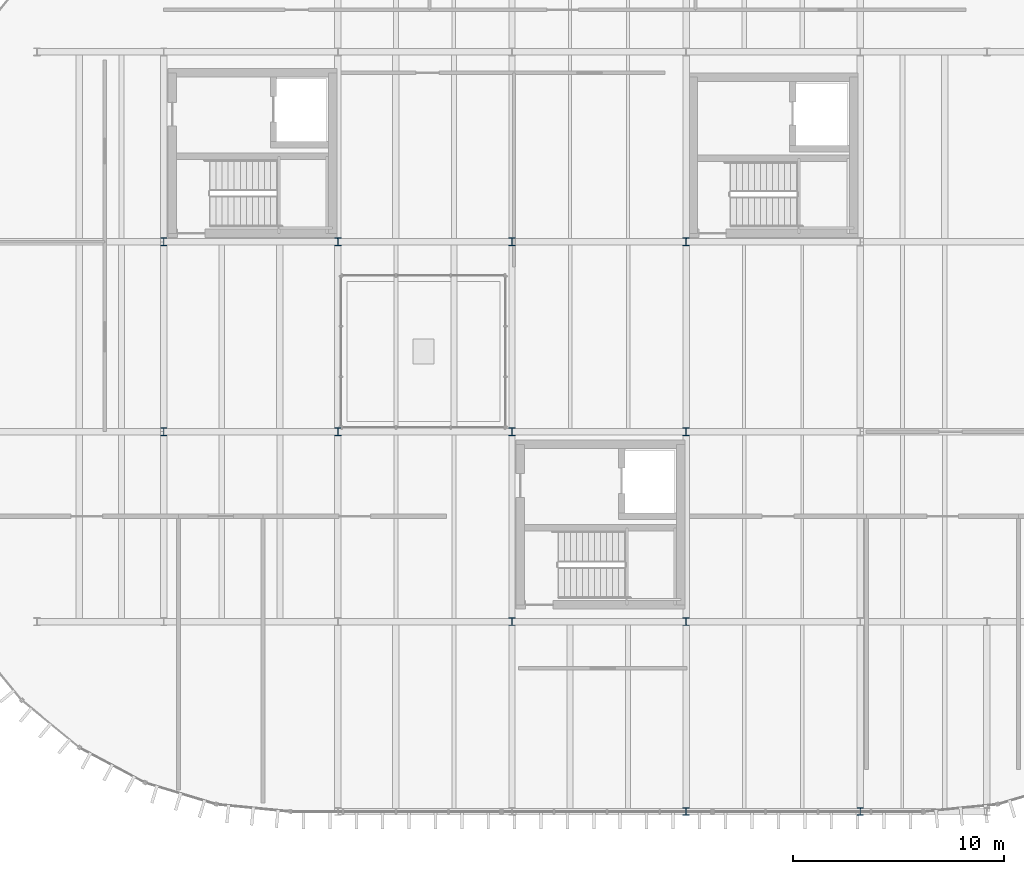
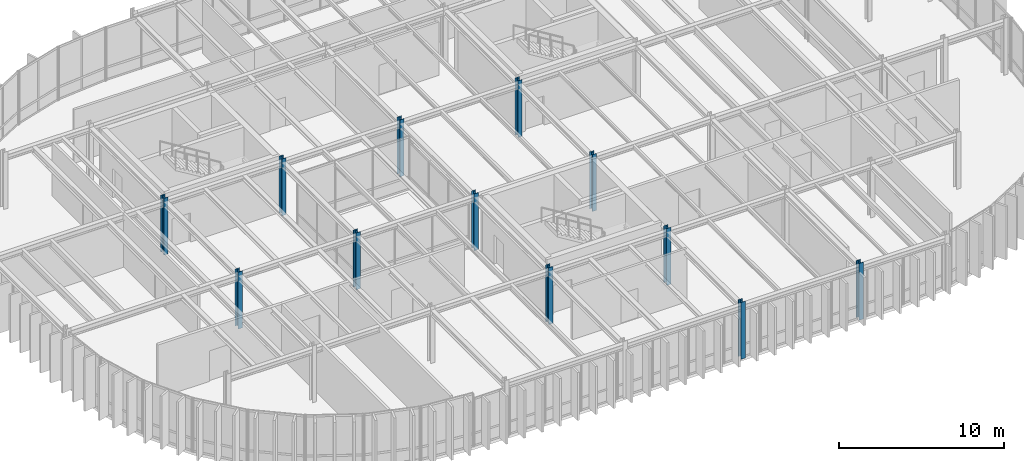
# One storey, part 2 of 31: 12 columns.
"""IFC4 building model written with IfcOpenShell, lengths in metres."""

from ifc_helpers import new_model, si_unit, direction, frame, origin, origin_2d, place, context, subcontext, project, spatial, i_section, extrude, material, material_profile, profile_set, type_object, element, save


model = new_model("IFC4")

# Units and contexts
model_context = context("Model", 3, precision=1e-05, world=origin(), true_north=direction((0.0, 1.0)))
body_context = subcontext(model_context, "Body", "Model", "MODEL_VIEW")
ifc_project = project(units=[si_unit("LENGTHUNIT", "METRE"), si_unit("AREAUNIT", "SQUARE_METRE"), si_unit("VOLUMEUNIT", "CUBIC_METRE"), si_unit("PLANEANGLEUNIT", "RADIAN"), si_unit("MASSUNIT", "GRAM", prefix="KILO")], contexts=[model_context])

# Site, building, storey
site_placement = place(None, origin())
site = spatial("IfcSite", under=ifc_project, at=site_placement, CompositionType="ELEMENT")
building_placement = place(site_placement, origin())
building = spatial("IfcBuilding", under=site, at=building_placement, Name="Montealbar Specialist Clinic", CompositionType="ELEMENT")
storey_placement = place(building_placement, frame((0.0, 0.0, 13.800048828125)))
storey = spatial("IfcBuildingStorey", under=building, at=storey_placement, Name="L03", CompositionType="ELEMENT", Elevation=13.800048828125)

# Columns
ifc_material = material(Name="Steel S355", Category="steel")
ifc_material_profile_1 = material_profile(ifc_material, i_section(OverallWidth=0.300048828125, OverallDepth=0.39990234375, WebThickness=0.013427734375, FlangeThickness=0.02392578125, FilletRadius=0.027099609375, at=origin_2d()), Name="HEB 400", Category="steel")
ifc_profile_set_1 = profile_set([ifc_material_profile_1], Name="Steel S355")
column_type_1 = type_object("IfcColumnType", Name="COL-S-L02-STD", PredefinedType="COLUMN", material=ifc_profile_set_1)
for number, where, z_axis, x_axis, name in (
    (1, (66.0, 18.0, 0.0), (0.0, 0.0, 1.0), (1.0, 0.0, 0.0), "Column 9/C L03"),
    (2, (66.0, 27.0, 0.0), (0.0, 0.0, 1.0), (1.0, 0.0, 0.0), "Column 9/D L03"),
):
    element("IfcColumn", number, at=place(storey_placement, frame(where, z_axis=z_axis, x_axis=x_axis)), inside=storey, type_object=column_type_1, Name=name, PredefinedType="COLUMN", context=body_context, shape_type="SweptSolid", body=[
        extrude(i_section(OverallWidth=0.300048828125, OverallDepth=0.39990234375, WebThickness=0.013427734375, FlangeThickness=0.02392578125, FilletRadius=0.027099609375, at=origin_2d()), origin(), (0.0, 0.0, 1.0), 4.199951171875),
    ])
ifc_material_profile_2 = material_profile(ifc_material, i_section(OverallWidth=0.300048828125, OverallDepth=0.360107421875, WebThickness=0.012451171875, FlangeThickness=0.0224609375, FilletRadius=0.027099609375, at=origin_2d()), Name="HEB 360", Category="steel")
ifc_profile_set_2 = profile_set([ifc_material_profile_2], Name="Steel S355")
column_type_2 = type_object("IfcColumnType", Name="COL-S-L03-STD", PredefinedType="COLUMN", material=ifc_profile_set_2)
for number, where, z_axis, x_axis, name in (
    (3, (74.25, 27.0, 0.0), (0.0, 0.0, 1.0), (1.0, 0.0, 0.0), "Column 10/D L03"),
    (4, (82.5, 9.0, 0.0), (0.0, 0.0, 1.0), (1.0, 0.0, 0.0), "Column 11/B L03"),
    (5, (82.5, 27.0, 0.0), (0.0, 0.0, 1.0), (1.0, 0.0, 0.0), "Column 11/D L03"),
    (6, (90.75, 9.0, 0.0), (0.0, 0.0, 1.0), (1.0, 0.0, 0.0), "Column 12/B L03"),
    (7, (90.75, 18.0, 0.0), (0.0, 0.0, 1.0), (1.0, 0.0, 0.0), "Column 12/C L03"),
    (8, (90.75, 27.0, 0.0), (0.0, 0.0, 1.0), (1.0, 0.0, 0.0), "Column 12/D L03"),
):
    element("IfcColumn", number, at=place(storey_placement, frame(where, z_axis=z_axis, x_axis=x_axis)), inside=storey, type_object=column_type_2, Name=name, PredefinedType="COLUMN", context=body_context, shape_type="SweptSolid", body=[
        extrude(i_section(OverallWidth=0.300048828125, OverallDepth=0.360107421875, WebThickness=0.012451171875, FlangeThickness=0.0224609375, FilletRadius=0.027099609375, at=origin_2d()), origin(), (0.0, 0.0, 1.0), 4.199951171875),
    ])
ifc_material_profile_3 = material_profile(ifc_material, i_section(OverallWidth=0.300048828125, OverallDepth=0.360107421875, WebThickness=0.012451171875, FlangeThickness=0.0224609375, FilletRadius=0.027099609375, at=origin_2d()), Name="HEB 360", Category="steel")
ifc_profile_set_3 = profile_set([ifc_material_profile_3], Name="Steel S355")
column_type_3 = type_object("IfcColumnType", Name="COL-S-L03-STD-EXT", PredefinedType="COLUMN", material=ifc_profile_set_3)
for number, where, z_axis, x_axis, name in (
    (9, (74.25, 18.0, 0.0), (0.0, 0.0, 1.0), (1.0, 0.0, 0.0), "Column 10/C L03"),
    (10, (82.5, 18.0, 0.0), (0.0, 0.0, 1.0), (1.0, 0.0, 0.0), "Column 11/C L03"),
    (11, (90.75, 0.0, 0.0), (0.0, 0.0, 1.0), (1.0, 0.0, 0.0), "Column 12/A L03"),
    (12, (99.0, 0.0, 0.0), (0.0, 0.0, 1.0), (1.0, 0.0, 0.0), "Column 13/A L03"),
):
    element("IfcColumn", number, at=place(storey_placement, frame(where, z_axis=z_axis, x_axis=x_axis)), inside=storey, type_object=column_type_3, Name=name, PredefinedType="COLUMN", context=body_context, shape_type="SweptSolid", body=[
        extrude(i_section(OverallWidth=0.300048828125, OverallDepth=0.360107421875, WebThickness=0.012451171875, FlangeThickness=0.0224609375, FilletRadius=0.027099609375, at=origin_2d()), origin(), (0.0, 0.0, 1.0), 4.199951171875),
    ])

save(model, "model.ifc")
